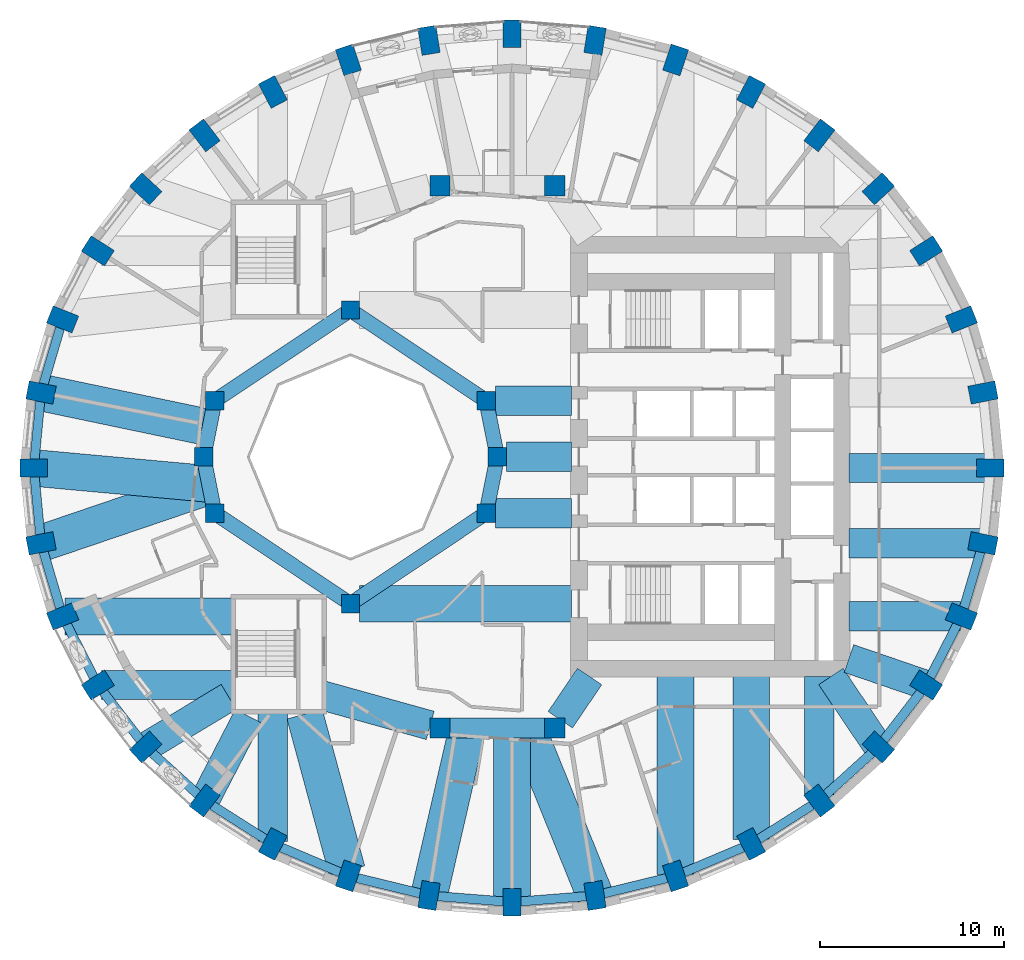
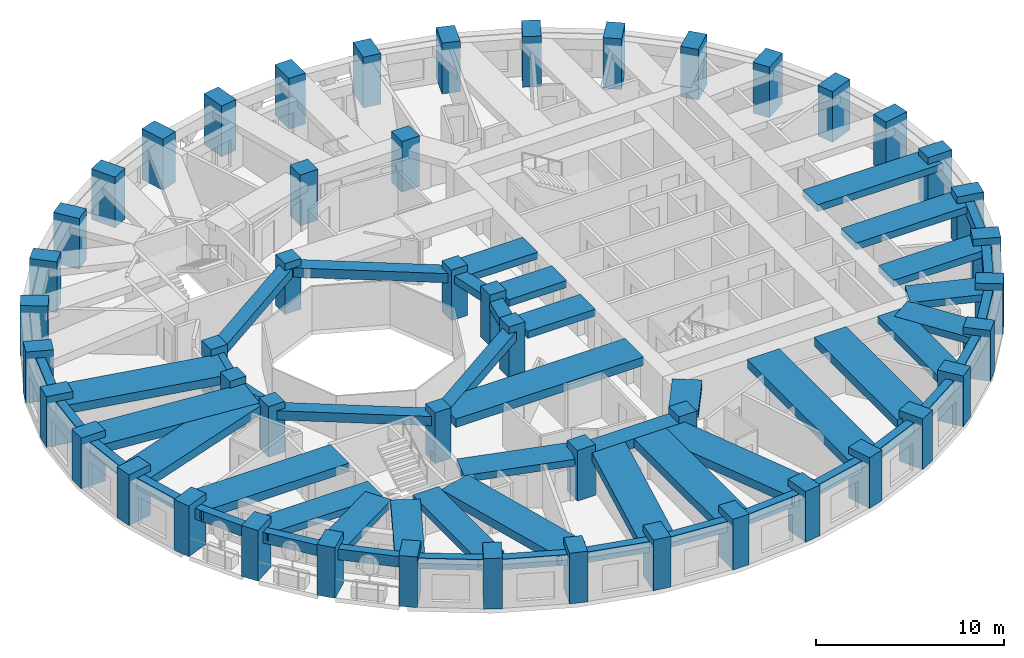
# One storey, part 1 of 12: 54 beams, 48 columns.
"""IFC4 building model written with IfcOpenShell, lengths in metres."""

from ifc_helpers import new_model, si_unit, direction, frame, origin, origin_2d, place, context, subcontext, project, spatial, rectangle, extrude, material, material_profile, profile_set, type_object, element, save


model = new_model("IFC4")

# Units and contexts
model_context = context("Model", 3, precision=1e-05, world=origin(), true_north=direction((0.0, 1.0)))
body_context = subcontext(model_context, "Body", "Model", "MODEL_VIEW")
ifc_project = project(units=[si_unit("LENGTHUNIT", "METRE"), si_unit("AREAUNIT", "SQUARE_METRE"), si_unit("VOLUMEUNIT", "CUBIC_METRE"), si_unit("PLANEANGLEUNIT", "RADIAN"), si_unit("MASSUNIT", "GRAM", prefix="KILO")], contexts=[model_context])

# Site, building, storey
site_placement = place(None, origin())
site = spatial("IfcSite", under=ifc_project, at=site_placement, CompositionType="ELEMENT")
building_placement = place(site_placement, origin())
building = spatial("IfcBuilding", under=site, at=building_placement, Name="Taillehof Tower", CompositionType="ELEMENT")
storey_placement = place(building_placement, frame((0.0, 0.0, 131.800048828125)))
storey = spatial("IfcBuildingStorey", under=building, at=storey_placement, Name="L37", CompositionType="ELEMENT", Elevation=131.800048828125)

# Columns
ifc_material_1 = material(Name="Concrete C50/60", Category="concrete")
ifc_material_profile_1 = material_profile(ifc_material_1, rectangle(XDim=1.0, YDim=1.0, at=origin_2d()), Name="RC 1000x1000")
ifc_profile_set_1 = profile_set([ifc_material_profile_1], Name="Concrete C50/60")
column_type_1 = type_object("IfcColumnType", Name="Atrium ring column C50/60 1000x1000", PredefinedType="COLUMN", material=ifc_profile_set_1)
for number, where, z_axis, x_axis, name in (
    (1, (0.0, 0.0, 0.0), (0.0, 0.0, 1.0), (1.0, 0.0, 0.0), "Column AC01"),
    (2, (-0.60888671875, 3.0615234375, 0.0), (0.0, 0.0, 1.0), (1.0, 0.0, 0.0), "Column AC02"),
    (3, (-8.0, 8.0, 0.0), (0.0, 0.0, 1.0), (1.0, 0.0, 0.0), "Column AC05"),
    (4, (-15.39111328125, 3.0615234375, 0.0), (0.0, 0.0, 1.0), (1.0, 0.0, 0.0), "Column AC08"),
    (5, (-16.0, 0.0, 0.0), (0.0, 0.0, 1.0), (1.0, 0.0, 0.0), "Column AC09"),
    (6, (-15.39111328125, -3.0615234375, 0.0), (0.0, 0.0, 1.0), (1.0, 0.0, 0.0), "Column AC10"),
    (7, (-8.0, -8.0, 0.0), (0.0, 0.0, 1.0), (1.0, 0.0, 0.0), "Column AC13"),
    (8, (-0.60888671875, -3.0615234375, 0.0), (0.0, 0.0, 1.0), (1.0, 0.0, 0.0), "Column AC16"),
):
    element("IfcColumn", number, at=place(storey_placement, frame(where, z_axis=z_axis, x_axis=x_axis)), inside=storey, type_object=column_type_1, Name=name, PredefinedType="COLUMN", context=body_context, shape_type="SweptSolid", body=[
        extrude(rectangle(XDim=1.0, YDim=1.0, at=origin_2d()), origin(), (0.0, 0.0, 1.0), 3.300048828125),
    ])
ifc_material_2 = material(Name="Concrete C50/60", Category="concrete")
ifc_material_profile_2 = material_profile(ifc_material_2, rectangle(XDim=1.10009765625, YDim=1.10009765625, at=origin_2d()), Name="RC 1100x1100")
ifc_profile_set_2 = profile_set([ifc_material_profile_2], Name="Concrete C50/60")
column_type_2 = type_object("IfcColumnType", Name="Mid-ring column C50/60 1100x1100", PredefinedType="COLUMN", material=ifc_profile_set_2)
for number, where, z_axis, x_axis, name in (
    (9, (3.125732421875, 14.772216796875, 0.0), (0.0, 0.0, 1.0), (1.0, 0.0, 0.0), "Column MC05"),
    (10, (-3.125732421875, 14.772216796875, 0.0), (0.0, 0.0, 1.0), (1.0, 0.0, 0.0), "Column MC06"),
    (11, (-3.125732421875, -14.772216796875, 0.0), (0.0, 0.0, 1.0), (1.0, 0.0, 0.0), "Column MC14"),
    (12, (3.125732421875, -14.772216796875, 0.0), (0.0, 0.0, 1.0), (1.0, 0.0, 0.0), "Column MC15"),
):
    element("IfcColumn", number, at=place(storey_placement, frame(where, z_axis=z_axis, x_axis=x_axis)), inside=storey, type_object=column_type_2, Name=name, PredefinedType="COLUMN", context=body_context, shape_type="SweptSolid", body=[
        extrude(rectangle(XDim=1.10009765625, YDim=1.10009765625, at=origin_2d()), origin(), (0.0, 0.0, 1.0), 3.300048828125),
    ])
ifc_material_3 = material(Name="Concrete C70/85", Category="concrete")
ifc_material_profile_3 = material_profile(ifc_material_3, rectangle(XDim=1.5, YDim=1.0, at=origin_2d()), Name="RC 1500x1000")
ifc_profile_set_3 = profile_set([ifc_material_profile_3], Name="Concrete C70/85")
column_type_3 = type_object("IfcColumnType", Name="Ring column C70/85 1500x1000", PredefinedType="COLUMN", material=ifc_profile_set_3)
for number, where, z_axis, x_axis, name in (
    (13, (26.85009765625, -0.60009765625, 0.0), (0.0, 0.0, 1.0), (1.0, 0.0, 0.0), "Ring column RC01"),
    (14, (26.454345703125, 3.5068359375, 0.0), (0.0, 0.0, 1.0), (0.981757466121, 0.190137523166, 0.0), "Ring column RC02"),
    (15, (25.279052734375, 7.48876953125, 0.0), (0.0, 0.0, 1.0), (0.928550110352, 0.371207075048, 0.0), "Ring column RC03"),
    (16, (23.35986328125, 11.22509765625, 0.0), (0.0, 0.0, 1.0), (0.844511454562, 0.535537489923, 0.0), "Ring column RC04"),
    (17, (20.75537109375, 14.60205078125, 0.0), (0.0, 0.0, 1.0), (0.735332034083, 0.677707016085, 0.0), "Ring column RC05"),
    (18, (17.544677734375, 17.516845703125, 0.0), (0.0, 0.0, 1.0), (0.607074228939, 0.794645128694, 0.0), "Ring column RC06"),
    (19, (13.824951171875, 19.881591796875, 0.0), (0.0, 0.0, 1.0), (0.465283017627, 0.885161970211, 0.0), "Ring column RC07"),
    (20, (9.709716796875, 21.623779296875, 0.0), (0.0, 0.0, 1.0), (0.314554972703, 0.949239258116, 0.0), "Ring column RC08"),
    (21, (5.323486328125, 22.690673828125, 0.0), (0.0, 0.0, 1.0), (0.158507038215, 0.987357847407, 0.0), "Ring column RC09"),
    (22, (0.800048828125, 23.050048828125, 0.0), (0.0, 0.0, 1.0), (0.0, 1.0, 0.0), "Ring column RC10"),
    (23, (-3.7236328125, 22.690673828125, 0.0), (0.0, 0.0, 1.0), (-0.158507038215, 0.987357847407, 0.0), "Ring column RC11"),
    (24, (-8.109619140625, 21.623779296875, 0.0), (0.0, 0.0, 1.0), (-0.314554972703, 0.949239258116, 0.0), "Ring column RC12"),
    (25, (-12.22509765625, 19.881591796875, 0.0), (0.0, 0.0, 1.0), (-0.465283017627, 0.885161970211, 0.0), "Ring column RC13"),
    (26, (-15.944580078125, 17.516845703125, 0.0), (0.0, 0.0, 1.0), (-0.607074228939, 0.794645128694, 0.0), "Ring column RC14"),
    (27, (-19.155517578125, 14.60205078125, 0.0), (0.0, 0.0, 1.0), (-0.735332034083, 0.677707016085, 0.0), "Ring column RC15"),
    (28, (-21.760009765625, 11.22509765625, 0.0), (0.0, 0.0, 1.0), (-0.844511454562, 0.535537489923, 0.0), "Ring column RC16"),
    (29, (-23.678955078125, 7.48876953125, 0.0), (0.0, 0.0, 1.0), (-0.928550110352, 0.371207075048, 0.0), "Ring column RC17"),
    (30, (-24.854248046875, 3.5068359375, 0.0), (0.0, 0.0, 1.0), (-0.981757466121, 0.190137523166, 0.0), "Ring column RC18"),
    (31, (-25.25, -0.60009765625, 0.0), (0.0, 0.0, 1.0), (-1.0, 0.0, 0.0), "Ring column RC19"),
    (32, (-24.854248046875, -4.706787109375, 0.0), (0.0, 0.0, 1.0), (-0.981757466121, -0.190137523166, 0.0), "Ring column RC20"),
    (33, (-23.678955078125, -8.688720703125, 0.0), (0.0, 0.0, 1.0), (-0.928550110352, -0.371207075048, 0.0), "Ring column RC21"),
    (34, (-21.760009765625, -12.425048828125, 0.0), (0.0, 0.0, 1.0), (-0.844511454562, -0.535537489923, 0.0), "Ring column RC22"),
    (35, (-19.155517578125, -15.802001953125, 0.0), (0.0, 0.0, 1.0), (-0.735332034083, -0.677707016085, 0.0), "Ring column RC23"),
    (36, (-15.944580078125, -18.717041015625, 0.0), (0.0, 0.0, 1.0), (-0.607074228939, -0.794645128694, 0.0), "Ring column RC24"),
    (37, (-12.22509765625, -21.08154296875, 0.0), (0.0, 0.0, 1.0), (-0.465283017627, -0.885161970211, 0.0), "Ring column RC25"),
    (38, (-8.109619140625, -22.82373046875, 0.0), (0.0, 0.0, 1.0), (-0.314554972703, -0.949239258116, 0.0), "Ring column RC26"),
    (39, (-3.7236328125, -23.890625, 0.0), (0.0, 0.0, 1.0), (-0.158507038215, -0.987357847407, 0.0), "Ring column RC27"),
    (40, (0.800048828125, -24.25, 0.0), (0.0, 0.0, 1.0), (0.0, -1.0, 0.0), "Ring column RC28"),
    (41, (5.323486328125, -23.890625, 0.0), (0.0, 0.0, 1.0), (0.158507038215, -0.987357847407, 0.0), "Ring column RC29"),
    (42, (9.709716796875, -22.82373046875, 0.0), (0.0, 0.0, 1.0), (0.314554972703, -0.949239258116, 0.0), "Ring column RC30"),
    (43, (13.824951171875, -21.08154296875, 0.0), (0.0, 0.0, 1.0), (0.465283017627, -0.885161970211, 0.0), "Ring column RC31"),
    (44, (17.544677734375, -18.717041015625, 0.0), (0.0, 0.0, 1.0), (0.607074228939, -0.794645128694, 0.0), "Ring column RC32"),
    (45, (20.75537109375, -15.802001953125, 0.0), (0.0, 0.0, 1.0), (0.735332034083, -0.677707016085, 0.0), "Ring column RC33"),
    (46, (23.35986328125, -12.425048828125, 0.0), (0.0, 0.0, 1.0), (0.844511454562, -0.535537489923, 0.0), "Ring column RC34"),
    (47, (25.279052734375, -8.688720703125, 0.0), (0.0, 0.0, 1.0), (0.928550110352, -0.371207075048, 0.0), "Ring column RC35"),
    (48, (26.454345703125, -4.706787109375, 0.0), (0.0, 0.0, 1.0), (0.981757466121, -0.190137523166, 0.0), "Ring column RC36"),
):
    element("IfcColumn", number, at=place(storey_placement, frame(where, z_axis=z_axis, x_axis=x_axis)), inside=storey, type_object=column_type_3, Name=name, PredefinedType="COLUMN", context=body_context, shape_type="SweptSolid", body=[
        extrude(rectangle(XDim=1.5, YDim=1.0, at=origin_2d()), origin(), (0.0, 0.0, 1.0), 3.300048828125),
    ])

# Beams
ifc_material_4 = material(Name="Concrete C50/60", Category="concrete")
ifc_material_profile_4 = material_profile(ifc_material_4, rectangle(XDim=0.800048828125, YDim=0.5, at=origin_2d()), Name="RC 800x500")
ifc_profile_set_4 = profile_set([ifc_material_profile_4], Name="Concrete C50/60")
beam_type_1 = type_object("IfcBeamType", Name="Atrium ring beam C50/60 800x500", PredefinedType="BEAM", material=ifc_profile_set_4)
for number, where, z_axis, x_axis, name in (
    (49, (0.0, 0.0, 2.599853515625), (-0.195063155143, 0.980790683839, 0.0), (-0.980790683839, -0.195063155143, 0.0), "Atrium ring beam AB01"),
    (50, (-15.39111328125, 3.0615234375, 2.599853515625), (-0.195063155143, -0.980790683839, 0.0), (0.980790683839, -0.195063155143, 0.0), "Atrium ring beam AB04"),
    (51, (-16.0, 0.0, 2.599853515625), (0.195063155143, -0.980790683839, 0.0), (0.980790683839, 0.195063155143, 0.0), "Atrium ring beam AB05"),
    (52, (-0.60888671875, -3.0615234375, 2.599853515625), (0.195063155143, 0.980790683839, 0.0), (-0.980790683839, 0.195063155143, 0.0), "Atrium ring beam AB08"),
):
    element("IfcBeam", number, at=place(storey_placement, frame(where, z_axis=z_axis, x_axis=x_axis)), inside=storey, type_object=beam_type_1, Name=name, PredefinedType="BEAM", context=body_context, shape_type="SweptSolid", body=[
        extrude(rectangle(XDim=0.800048828125, YDim=0.5, at=origin_2d()), origin(), (0.0, 0.0, 1.0), 3.12158203125),
    ])
ifc_material_5 = material(Name="Concrete C50/60", Category="concrete")
ifc_material_profile_5 = material_profile(ifc_material_5, rectangle(XDim=0.800048828125, YDim=0.60009765625, at=origin_2d()), Name="RC 800x600")
ifc_profile_set_5 = profile_set([ifc_material_profile_5], Name="Concrete C50/60")
beam_type_2 = type_object("IfcBeamType", Name="Atrium ring beam C50/60 800x600", PredefinedType="BEAM", material=ifc_profile_set_5)
for number, where, z_axis, x_axis, name in (
    (53, (-0.60888671875, 3.0615234375, 2.550048828125), (-0.831475195687, 0.555561876804, 0.0), (-0.555561876804, -0.831475195687, 0.0), "Atrium ring beam AB02"),
    (54, (-8.0, 8.0, 2.550048828125), (-0.831475195687, -0.555561876804, 0.0), (0.555561876804, -0.831475195687, 0.0), "Atrium ring beam AB03"),
    (55, (-15.39111328125, -3.0615234375, 2.550048828125), (0.831475195687, -0.555561876804, 0.0), (0.555561876804, 0.831475195687, 0.0), "Atrium ring beam AB06"),
    (56, (-8.0, -8.0, 2.550048828125), (0.831475195687, 0.555561876804, 0.0), (-0.555561876804, 0.831475195687, 0.0), "Atrium ring beam AB07"),
):
    element("IfcBeam", number, at=place(storey_placement, frame(where, z_axis=z_axis, x_axis=x_axis)), inside=storey, type_object=beam_type_2, Name=name, PredefinedType="BEAM", context=body_context, shape_type="SweptSolid", body=[
        extrude(rectangle(XDim=0.800048828125, YDim=0.60009765625, at=origin_2d()), origin(), (0.0, 0.0, 1.0), 8.88916015625),
    ])
ifc_material_6 = material(Name="Concrete C50/60", Category="concrete")
ifc_material_profile_6 = material_profile(ifc_material_6, rectangle(XDim=1.10009765625, YDim=0.60009765625, at=origin_2d()), Name="RC 1100x600")
ifc_profile_set_6 = profile_set([ifc_material_profile_6], Name="Concrete C50/60")
beam_type_3 = type_object("IfcBeamType", Name="Mid-ring beam C50/60 1100x600", PredefinedType="BEAM", material=ifc_profile_set_6)
beam_1_placement = place(storey_placement, frame((-3.125732421875, -14.772216796875, 2.550048828125), z_axis=(1.0, 0.0, 0.0), x_axis=(0.0, 1.0, 0.0)))
element("IfcBeam", 57, at=beam_1_placement, inside=storey, type_object=beam_type_3, Name="Mid-ring beam MB02", PredefinedType="BEAM", context=body_context, shape_type="SweptSolid", body=[
    extrude(rectangle(XDim=1.10009765625, YDim=0.60009765625, at=origin_2d()), origin(), (0.0, 0.0, 1.0), 6.25146484375),
])
ifc_material_7 = material(Name="Concrete C50/60", Category="concrete")
ifc_material_profile_7 = material_profile(ifc_material_7, rectangle(XDim=1.60009765625, YDim=0.449951171875, at=origin_2d()), Name="RC 1600x450")
ifc_profile_set_7 = profile_set([ifc_material_profile_7], Name="Concrete C50/60")
beam_type_4 = type_object("IfcBeamType", Name="Radial band beam C50/60 1600x450", PredefinedType="BEAM", material=ifc_profile_set_7)
beam_2_placement = place(storey_placement, frame((26.85009765625, -0.60009765625, 2.625), z_axis=(-1.0, 0.0, 0.0), x_axis=(0.0, -1.0, 0.0)))
element("IfcBeam", 58, at=beam_2_placement, inside=storey, type_object=beam_type_4, Name="Radial band beam RB01", PredefinedType="BEAM", context=body_context, shape_type="SweptSolid", body=[
    extrude(rectangle(XDim=1.60009765625, YDim=0.449951171875, at=origin_2d()), origin(), (0.0, 0.0, 1.0), 7.7001953125),
])
beam_3_placement = place(storey_placement, frame((-21.54736328125, -12.425048828125, 2.625), z_axis=(1.0, 0.0, 0.0), x_axis=(0.0, 1.0, 0.0)))
element("IfcBeam", 59, at=beam_3_placement, inside=storey, type_object=beam_type_4, Name="Radial band beam RB22", PredefinedType="BEAM", context=body_context, shape_type="SweptSolid", body=[
    extrude(rectangle(XDim=1.60009765625, YDim=0.449951171875, at=origin_2d()), origin(), (0.0, 0.0, 1.0), 7.097412109375),
])
beam_4_placement = place(storey_placement, frame((-19.155517578125, -15.802001953125, 2.625), z_axis=(0.856794973818, 0.515657224171, 0.0), x_axis=(-0.515657224171, 0.856794973818, 0.0)))
element("IfcBeam", 60, at=beam_4_placement, inside=storey, type_object=beam_type_4, Name="Radial band beam RB23", PredefinedType="BEAM", context=body_context, shape_type="SweptSolid", body=[
    extrude(rectangle(XDim=1.60009765625, YDim=0.449951171875, at=origin_2d()), origin(), (0.0, 0.0, 1.0), 5.28369140625),
])
beam_5_placement = place(storey_placement, frame((-15.944580078125, -18.717041015625, 2.625), z_axis=(0.460119038647, 0.8878572353, 0.0), x_axis=(-0.8878572353, 0.460119038647, 0.0)))
element("IfcBeam", 61, at=beam_5_placement, inside=storey, type_object=beam_type_4, Name="Radial band beam RB24", PredefinedType="BEAM", context=body_context, shape_type="SweptSolid", body=[
    extrude(rectangle(XDim=1.60009765625, YDim=0.449951171875, at=origin_2d()), origin(), (0.0, 0.0, 1.0), 5.1796875),
])
beam_6_placement = place(storey_placement, frame((-12.22509765625, -20.9443359375, 2.625), z_axis=(0.0, 1.0, 0.0), x_axis=(-1.0, 0.0, 0.0)))
element("IfcBeam", 62, at=beam_6_placement, inside=storey, type_object=beam_type_4, Name="Radial band beam RB25", PredefinedType="BEAM", context=body_context, shape_type="SweptSolid", body=[
    extrude(rectangle(XDim=1.60009765625, YDim=0.449951171875, at=origin_2d()), origin(), (0.0, 0.0, 1.0), 6.994384765625),
])
beam_7_placement = place(storey_placement, frame((17.544677734375, -18.421875, 2.625), z_axis=(0.0, 1.0, 0.0), x_axis=(-1.0, 0.0, 0.0)))
element("IfcBeam", 63, at=beam_7_placement, inside=storey, type_object=beam_type_4, Name="Radial band beam RB32", PredefinedType="BEAM", context=body_context, shape_type="SweptSolid", body=[
    extrude(rectangle(XDim=1.60009765625, YDim=0.449951171875, at=origin_2d()), origin(), (0.0, 0.0, 1.0), 6.471923828125),
])
beam_8_placement = place(storey_placement, frame((20.75537109375, -15.802001953125, 2.625), z_axis=(-0.557822939952, 0.829959979555, 0.0), x_axis=(-0.829959979555, -0.557822939952, 0.0)))
element("IfcBeam", 64, at=beam_8_placement, inside=storey, type_object=beam_type_4, Name="Radial band beam RB33", PredefinedType="BEAM", context=body_context, shape_type="SweptSolid", body=[
    extrude(rectangle(XDim=1.60009765625, YDim=0.449951171875, at=origin_2d()), origin(), (0.0, 0.0, 1.0), 4.630859375),
])
beam_9_placement = place(storey_placement, frame((23.35986328125, -12.425048828125, 2.625), z_axis=(-0.946037817118, 0.324056242932, 0.0), x_axis=(-0.324056242932, -0.946037817118, 0.0)))
element("IfcBeam", 65, at=beam_9_placement, inside=storey, type_object=beam_type_4, Name="Radial band beam RB34", PredefinedType="BEAM", context=body_context, shape_type="SweptSolid", body=[
    extrude(rectangle(XDim=1.60009765625, YDim=0.449951171875, at=origin_2d()), origin(), (0.0, 0.0, 1.0), 4.447265625),
])
beam_10_placement = place(storey_placement, frame((25.2275390625, -8.688720703125, 2.625), z_axis=(-1.0, 0.0, 0.0), x_axis=(0.0, -1.0, 0.0)))
element("IfcBeam", 66, at=beam_10_placement, inside=storey, type_object=beam_type_4, Name="Radial band beam RB35", PredefinedType="BEAM", context=body_context, shape_type="SweptSolid", body=[
    extrude(rectangle(XDim=1.60009765625, YDim=0.449951171875, at=origin_2d()), origin(), (0.0, 0.0, 1.0), 6.07763671875),
])
beam_11_placement = place(storey_placement, frame((26.454345703125, -4.706787109375, 2.625), z_axis=(-1.0, 0.0, 0.0), x_axis=(0.0, -1.0, 0.0)))
element("IfcBeam", 67, at=beam_11_placement, inside=storey, type_object=beam_type_4, Name="Radial band beam RB36", PredefinedType="BEAM", context=body_context, shape_type="SweptSolid", body=[
    extrude(rectangle(XDim=1.60009765625, YDim=0.449951171875, at=origin_2d()), origin(), (0.0, 0.0, 1.0), 7.304443359375),
])
beam_12_placement = place(storey_placement, frame((0.5, 0.0, 2.625), z_axis=(1.0, 0.0, 0.0), x_axis=(0.0, 1.0, 0.0)))
element("IfcBeam", 68, at=beam_12_placement, inside=storey, type_object=beam_type_4, Name="Inner band beam IB101", PredefinedType="BEAM", context=body_context, shape_type="SweptSolid", body=[
    extrude(rectangle(XDim=1.60009765625, YDim=0.449951171875, at=origin_2d()), origin(), (0.0, 0.0, 1.0), 3.550048828125),
])
for number, where, z_axis, x_axis, name in (
    (69, (-0.10888671875, 3.0615234375, 2.625), (1.0, 0.0, 0.0), (0.0, 1.0, 0.0), "Inner band beam IB102"),
    (70, (-0.10888671875, -3.0615234375, 2.625), (1.0, 0.0, 0.0), (0.0, 1.0, 0.0), "Inner band beam IB116"),
):
    element("IfcBeam", number, at=place(storey_placement, frame(where, z_axis=z_axis, x_axis=x_axis)), inside=storey, type_object=beam_type_4, Name=name, PredefinedType="BEAM", context=body_context, shape_type="SweptSolid", body=[
        extrude(rectangle(XDim=1.60009765625, YDim=0.449951171875, at=origin_2d()), origin(), (0.0, 0.0, 1.0), 4.158935546875),
    ])
beam_13_placement = place(storey_placement, frame((-3.655517578125, -14.624755859375, 2.625), z_axis=(-0.963459369536, 0.267854518821, 0.0), x_axis=(-0.267854518821, -0.963459369536, 0.0)))
element("IfcBeam", 71, at=beam_13_placement, inside=storey, type_object=beam_type_4, Name="Inner band beam IB214", PredefinedType="BEAM", context=body_context, shape_type="SweptSolid", body=[
    extrude(rectangle(XDim=1.60009765625, YDim=0.449951171875, at=origin_2d()), origin(), (0.0, 0.0, 1.0), 6.096923828125),
])
beam_14_placement = place(storey_placement, frame((3.433837890625, -14.31640625, 2.625), z_axis=(0.560112043398, 0.828416862962, 0.0), x_axis=(-0.828416862962, 0.560112043398, 0.0)))
element("IfcBeam", 72, at=beam_14_placement, inside=storey, type_object=beam_type_4, Name="Inner band beam IB215", PredefinedType="BEAM", context=body_context, shape_type="SweptSolid", body=[
    extrude(rectangle(XDim=1.60009765625, YDim=0.449951171875, at=origin_2d()), origin(), (0.0, 0.0, 1.0), 2.84619140625),
])
ifc_material_8 = material(Name="Concrete C50/60", Category="concrete")
ifc_material_profile_8 = material_profile(ifc_material_8, rectangle(XDim=2.0, YDim=0.550048828125, at=origin_2d()), Name="RC 2000x550")
ifc_profile_set_8 = profile_set([ifc_material_profile_8], Name="Concrete C50/60")
beam_type_5 = type_object("IfcBeamType", Name="Radial band beam C50/60 2000x550", PredefinedType="BEAM", material=ifc_profile_set_8)
beam_15_placement = place(storey_placement, frame((-24.854248046875, 3.5068359375, 2.574951171875), z_axis=(0.978853404319, -0.204562980164, 0.0), x_axis=(0.204562980164, 0.978853404319, 0.0)))
element("IfcBeam", 73, at=beam_15_placement, inside=storey, type_object=beam_type_5, Name="Radial band beam RB18", PredefinedType="BEAM", context=body_context, shape_type="SweptSolid", body=[
    extrude(rectangle(XDim=2.0, YDim=0.550048828125, at=origin_2d()), origin(), (0.0, 0.0, 1.0), 9.36865234375),
])
beam_16_placement = place(storey_placement, frame((-25.25, -0.60009765625, 2.574951171875), z_axis=(0.995859515154, -0.090905588816, 0.0), x_axis=(0.090905588816, 0.995859515154, 0.0)))
element("IfcBeam", 74, at=beam_16_placement, inside=storey, type_object=beam_type_5, Name="Radial band beam RB19", PredefinedType="BEAM", context=body_context, shape_type="SweptSolid", body=[
    extrude(rectangle(XDim=2.0, YDim=0.550048828125, at=origin_2d()), origin(), (0.0, 0.0, 1.0), 9.58251953125),
])
beam_17_placement = place(storey_placement, frame((-24.854248046875, -4.706787109375, 2.574951171875), z_axis=(0.946822052625, 0.321757673822, 0.0), x_axis=(-0.321757673822, 0.946822052625, 0.0)))
element("IfcBeam", 75, at=beam_17_placement, inside=storey, type_object=beam_type_5, Name="Radial band beam RB20", PredefinedType="BEAM", context=body_context, shape_type="SweptSolid", body=[
    extrude(rectangle(XDim=2.0, YDim=0.550048828125, at=origin_2d()), origin(), (0.0, 0.0, 1.0), 9.685791015625),
])
beam_18_placement = place(storey_placement, frame((-23.54736328125, -8.688720703125, 2.574951171875), z_axis=(1.0, 0.0, 0.0), x_axis=(0.0, 1.0, 0.0)))
element("IfcBeam", 76, at=beam_18_placement, inside=storey, type_object=beam_type_5, Name="Radial band beam RB21", PredefinedType="BEAM", context=body_context, shape_type="SweptSolid", body=[
    extrude(rectangle(XDim=2.0, YDim=0.550048828125, at=origin_2d()), origin(), (0.0, 0.0, 1.0), 9.097412109375),
])
beam_19_placement = place(storey_placement, frame((-8.186767578125, -22.539306640625, 2.574951171875), z_axis=(-0.261461600872, 0.965213878511, 0.0), x_axis=(-0.965213878511, -0.261461600872, 0.0)))
element("IfcBeam", 77, at=beam_19_placement, inside=storey, type_object=beam_type_5, Name="Radial band beam RB26", PredefinedType="BEAM", context=body_context, shape_type="SweptSolid", body=[
    extrude(rectangle(XDim=2.0, YDim=0.550048828125, at=origin_2d()), origin(), (0.0, 0.0, 1.0), 8.835205078125),
])
beam_20_placement = place(storey_placement, frame((-3.7236328125, -23.890625, 2.574951171875), z_axis=(0.224215346781, 0.974539623755, 0.0), x_axis=(-0.974539623755, 0.224215346781, 0.0)))
element("IfcBeam", 78, at=beam_20_placement, inside=storey, type_object=beam_type_5, Name="Radial band beam RB27", PredefinedType="BEAM", context=body_context, shape_type="SweptSolid", body=[
    extrude(rectangle(XDim=2.0, YDim=0.550048828125, at=origin_2d()), origin(), (0.0, 0.0, 1.0), 9.356689453125),
])
beam_21_placement = place(storey_placement, frame((0.800048828125, -24.25, 2.574951171875), z_axis=(0.0, 1.0, 0.0), x_axis=(-1.0, 0.0, 0.0)))
element("IfcBeam", 79, at=beam_21_placement, inside=storey, type_object=beam_type_5, Name="Radial band beam RB28", PredefinedType="BEAM", context=body_context, shape_type="SweptSolid", body=[
    extrude(rectangle(XDim=2.0, YDim=0.550048828125, at=origin_2d()), origin(), (0.0, 0.0, 1.0), 9.477783203125),
])
beam_22_placement = place(storey_placement, frame((5.323486328125, -23.890625, 2.574951171875), z_axis=(-0.375801287916, 0.926700270854, 0.0), x_axis=(-0.926700270854, -0.375801287916, 0.0)))
element("IfcBeam", 80, at=beam_22_placement, inside=storey, type_object=beam_type_5, Name="Radial band beam RB29", PredefinedType="BEAM", context=body_context, shape_type="SweptSolid", body=[
    extrude(rectangle(XDim=2.0, YDim=0.550048828125, at=origin_2d()), origin(), (0.0, 0.0, 1.0), 9.839599609375),
])
beam_23_placement = place(storey_placement, frame((9.709716796875, -22.756591796875, 2.574951171875), z_axis=(0.0, 1.0, 0.0), x_axis=(-1.0, 0.0, 0.0)))
element("IfcBeam", 81, at=beam_23_placement, inside=storey, type_object=beam_type_5, Name="Radial band beam RB30", PredefinedType="BEAM", context=body_context, shape_type="SweptSolid", body=[
    extrude(rectangle(XDim=2.0, YDim=0.550048828125, at=origin_2d()), origin(), (0.0, 0.0, 1.0), 10.806640625),
])
beam_24_placement = place(storey_placement, frame((13.824951171875, -20.839599609375, 2.574951171875), z_axis=(0.0, 1.0, 0.0), x_axis=(-1.0, 0.0, 0.0)))
element("IfcBeam", 82, at=beam_24_placement, inside=storey, type_object=beam_type_5, Name="Radial band beam RB31", PredefinedType="BEAM", context=body_context, shape_type="SweptSolid", body=[
    extrude(rectangle(XDim=2.0, YDim=0.550048828125, at=origin_2d()), origin(), (0.0, 0.0, 1.0), 8.8896484375),
])
beam_25_placement = place(storey_placement, frame((-7.5, -8.0, 2.574951171875), z_axis=(1.0, 0.0, 0.0), x_axis=(0.0, 1.0, 0.0)))
element("IfcBeam", 83, at=beam_25_placement, inside=storey, type_object=beam_type_5, Name="Inner band beam IB113", PredefinedType="BEAM", context=body_context, shape_type="SweptSolid", body=[
    extrude(rectangle(XDim=2.0, YDim=0.550048828125, at=origin_2d()), origin(), (0.0, 0.0, 1.0), 11.550048828125),
])
ifc_material_9 = material(Name="Concrete C50/60", Category="concrete")
ifc_material_profile_9 = material_profile(ifc_material_9, rectangle(XDim=0.5, YDim=0.699951171875, at=origin_2d()), Name="RC 500x700")
ifc_profile_set_9 = profile_set([ifc_material_profile_9], Name="Concrete C50/60")
beam_type_6 = type_object("IfcBeamType", Name="Spandrel beam C50/60 500x700", PredefinedType="SPANDREL", material=ifc_profile_set_9)
beam_26_placement = place(storey_placement, frame((-23.678955078125, 7.48876953125, 2.5), z_axis=(-0.28308309012, -0.95909538842, 0.0), x_axis=(0.95909538842, -0.28308309012, 0.0)))
element("IfcBeam", 84, at=beam_26_placement, inside=storey, type_object=beam_type_6, Name="Spandrel beam SB17", PredefinedType="SPANDREL", context=body_context, shape_type="SweptSolid", body=[
    extrude(rectangle(XDim=0.5, YDim=0.699951171875, at=origin_2d()), origin(), (0.0, 0.0, 1.0), 4.15185546875),
])
beam_27_placement = place(storey_placement, frame((-24.854248046875, 3.5068359375, 2.5), z_axis=(-0.095917608943, -0.995389276763, 0.0), x_axis=(0.995389276763, -0.095917608943, 0.0)))
element("IfcBeam", 85, at=beam_27_placement, inside=storey, type_object=beam_type_6, Name="Spandrel beam SB18", PredefinedType="SPANDREL", context=body_context, shape_type="SweptSolid", body=[
    extrude(rectangle(XDim=0.5, YDim=0.699951171875, at=origin_2d()), origin(), (0.0, 0.0, 1.0), 4.1259765625),
])
beam_28_placement = place(storey_placement, frame((-25.25, -0.60009765625, 2.5), z_axis=(0.09592325873, -0.995388732323, 0.0), x_axis=(0.995388732323, 0.09592325873, 0.0)))
element("IfcBeam", 86, at=beam_28_placement, inside=storey, type_object=beam_type_6, Name="Spandrel beam SB19", PredefinedType="SPANDREL", context=body_context, shape_type="SweptSolid", body=[
    extrude(rectangle(XDim=0.5, YDim=0.699951171875, at=origin_2d()), origin(), (0.0, 0.0, 1.0), 4.125732421875),
])
beam_29_placement = place(storey_placement, frame((-24.854248046875, -4.706787109375, 2.5), z_axis=(0.28308309012, -0.95909538842, 0.0), x_axis=(0.95909538842, 0.28308309012, 0.0)))
element("IfcBeam", 87, at=beam_29_placement, inside=storey, type_object=beam_type_6, Name="Spandrel beam SB20", PredefinedType="SPANDREL", context=body_context, shape_type="SweptSolid", body=[
    extrude(rectangle(XDim=0.5, YDim=0.699951171875, at=origin_2d()), origin(), (0.0, 0.0, 1.0), 4.15185546875),
])
beam_30_placement = place(storey_placement, frame((-23.678955078125, -8.688720703125, 2.5), z_axis=(0.456859381733, -0.889538928503, 0.0), x_axis=(0.889538928503, 0.456859381733, 0.0)))
element("IfcBeam", 88, at=beam_30_placement, inside=storey, type_object=beam_type_6, Name="Spandrel beam SB21", PredefinedType="SPANDREL", context=body_context, shape_type="SweptSolid", body=[
    extrude(rectangle(XDim=0.5, YDim=0.699951171875, at=origin_2d()), origin(), (0.0, 0.0, 1.0), 4.2001953125),
])
beam_31_placement = place(storey_placement, frame((-21.760009765625, -12.425048828125, 2.5), z_axis=(0.61071731561, -0.79184869793, 0.0), x_axis=(0.79184869793, 0.61071731561, 0.0)))
element("IfcBeam", 89, at=beam_31_placement, inside=storey, type_object=beam_type_6, Name="Spandrel beam SB22", PredefinedType="SPANDREL", context=body_context, shape_type="SweptSolid", body=[
    extrude(rectangle(XDim=0.5, YDim=0.699951171875, at=origin_2d()), origin(), (0.0, 0.0, 1.0), 4.2646484375),
])
beam_32_placement = place(storey_placement, frame((-19.155517578125, -15.802001953125, 2.5), z_axis=(0.740398416885, -0.672168270803, 0.0), x_axis=(0.672168270803, 0.740398416885, 0.0)))
element("IfcBeam", 90, at=beam_32_placement, inside=storey, type_object=beam_type_6, Name="Spandrel beam SB23", PredefinedType="SPANDREL", context=body_context, shape_type="SweptSolid", body=[
    extrude(rectangle(XDim=0.5, YDim=0.699951171875, at=origin_2d()), origin(), (0.0, 0.0, 1.0), 4.336669921875),
])
beam_33_placement = place(storey_placement, frame((-15.944580078125, -18.717041015625, 2.5), z_axis=(0.843912293293, -0.536481165773, 0.0), x_axis=(0.536481165773, 0.843912293293, 0.0)))
element("IfcBeam", 91, at=beam_33_placement, inside=storey, type_object=beam_type_6, Name="Spandrel beam SB24", PredefinedType="SPANDREL", context=body_context, shape_type="SweptSolid", body=[
    extrude(rectangle(XDim=0.5, YDim=0.699951171875, at=origin_2d()), origin(), (0.0, 0.0, 1.0), 4.407470703125),
])
beam_34_placement = place(storey_placement, frame((-12.22509765625, -21.08154296875, 2.5), z_axis=(0.920885046825, -0.389834234688, 0.0), x_axis=(0.389834234688, 0.920885046825, 0.0)))
element("IfcBeam", 92, at=beam_34_placement, inside=storey, type_object=beam_type_6, Name="Spandrel beam SB25", PredefinedType="SPANDREL", context=body_context, shape_type="SweptSolid", body=[
    extrude(rectangle(XDim=0.5, YDim=0.699951171875, at=origin_2d()), origin(), (0.0, 0.0, 1.0), 4.468994140625),
])
beam_35_placement = place(storey_placement, frame((-8.109619140625, -22.82373046875, 2.5), z_axis=(0.971665924588, -0.236358479847, 0.0), x_axis=(0.236358479847, 0.971665924588, 0.0)))
element("IfcBeam", 93, at=beam_35_placement, inside=storey, type_object=beam_type_6, Name="Spandrel beam SB26", PredefinedType="SPANDREL", context=body_context, shape_type="SweptSolid", body=[
    extrude(rectangle(XDim=0.5, YDim=0.699951171875, at=origin_2d()), origin(), (0.0, 0.0, 1.0), 4.513916015625),
])
beam_36_placement = place(storey_placement, frame((-3.7236328125, -23.890625, 2.5), z_axis=(0.996859260648, -0.079193525375, 0.0), x_axis=(0.079193525375, 0.996859260648, 0.0)))
element("IfcBeam", 94, at=beam_36_placement, inside=storey, type_object=beam_type_6, Name="Spandrel beam SB27", PredefinedType="SPANDREL", context=body_context, shape_type="SweptSolid", body=[
    extrude(rectangle(XDim=0.5, YDim=0.699951171875, at=origin_2d()), origin(), (0.0, 0.0, 1.0), 4.537841796875),
])
beam_37_placement = place(storey_placement, frame((0.800048828125, -24.25, 2.5), z_axis=(0.996858923208, 0.079197772828, 0.0), x_axis=(-0.079197772828, 0.996858923208, 0.0)))
element("IfcBeam", 95, at=beam_37_placement, inside=storey, type_object=beam_type_6, Name="Spandrel beam SB28", PredefinedType="SPANDREL", context=body_context, shape_type="SweptSolid", body=[
    extrude(rectangle(XDim=0.5, YDim=0.699951171875, at=origin_2d()), origin(), (0.0, 0.0, 1.0), 4.53759765625),
])
beam_38_placement = place(storey_placement, frame((5.323486328125, -23.890625, 2.5), z_axis=(0.971668945916, 0.23634605887, 0.0), x_axis=(-0.23634605887, 0.971668945916, 0.0)))
element("IfcBeam", 96, at=beam_38_placement, inside=storey, type_object=beam_type_6, Name="Spandrel beam SB29", PredefinedType="SPANDREL", context=body_context, shape_type="SweptSolid", body=[
    extrude(rectangle(XDim=0.5, YDim=0.699951171875, at=origin_2d()), origin(), (0.0, 0.0, 1.0), 4.51416015625),
])
beam_39_placement = place(storey_placement, frame((9.709716796875, -22.82373046875, 2.5), z_axis=(0.920876744153, 0.389853847074, 0.0), x_axis=(-0.389853847074, 0.920876744153, 0.0)))
element("IfcBeam", 97, at=beam_39_placement, inside=storey, type_object=beam_type_6, Name="Spandrel beam SB30", PredefinedType="SPANDREL", context=body_context, shape_type="SweptSolid", body=[
    extrude(rectangle(XDim=0.5, YDim=0.699951171875, at=origin_2d()), origin(), (0.0, 0.0, 1.0), 4.46875),
])
beam_40_placement = place(storey_placement, frame((13.824951171875, -21.08154296875, 2.5), z_axis=(0.843928234947, 0.536456087914, 0.0), x_axis=(-0.536456087914, 0.843928234947, 0.0)))
element("IfcBeam", 98, at=beam_40_placement, inside=storey, type_object=beam_type_6, Name="Spandrel beam SB31", PredefinedType="SPANDREL", context=body_context, shape_type="SweptSolid", body=[
    extrude(rectangle(XDim=0.5, YDim=0.699951171875, at=origin_2d()), origin(), (0.0, 0.0, 1.0), 4.40771484375),
])
beam_41_placement = place(storey_placement, frame((17.544677734375, -18.717041015625, 2.5), z_axis=(0.740372980414, 0.672196288202, 0.0), x_axis=(-0.672196288202, 0.740372980414, 0.0)))
element("IfcBeam", 99, at=beam_41_placement, inside=storey, type_object=beam_type_6, Name="Spandrel beam SB32", PredefinedType="SPANDREL", context=body_context, shape_type="SweptSolid", body=[
    extrude(rectangle(XDim=0.5, YDim=0.699951171875, at=origin_2d()), origin(), (0.0, 0.0, 1.0), 4.336669921875),
])
beam_42_placement = place(storey_placement, frame((20.75537109375, -15.802001953125, 2.5), z_axis=(0.61071731561, 0.79184869793, 0.0), x_axis=(-0.79184869793, 0.61071731561, 0.0)))
element("IfcBeam", 100, at=beam_42_placement, inside=storey, type_object=beam_type_6, Name="Spandrel beam SB33", PredefinedType="SPANDREL", context=body_context, shape_type="SweptSolid", body=[
    extrude(rectangle(XDim=0.5, YDim=0.699951171875, at=origin_2d()), origin(), (0.0, 0.0, 1.0), 4.2646484375),
])
beam_43_placement = place(storey_placement, frame((23.35986328125, -12.425048828125, 2.5), z_axis=(0.456905372708, 0.88951530644, 0.0), x_axis=(-0.88951530644, 0.456905372708, 0.0)))
element("IfcBeam", 101, at=beam_43_placement, inside=storey, type_object=beam_type_6, Name="Spandrel beam SB34", PredefinedType="SPANDREL", context=body_context, shape_type="SweptSolid", body=[
    extrude(rectangle(XDim=0.5, YDim=0.699951171875, at=origin_2d()), origin(), (0.0, 0.0, 1.0), 4.200439453125),
])
beam_44_placement = place(storey_placement, frame((25.279052734375, -8.688720703125, 2.5), z_axis=(0.28308309012, 0.95909538842, 0.0), x_axis=(-0.95909538842, 0.28308309012, 0.0)))
element("IfcBeam", 102, at=beam_44_placement, inside=storey, type_object=beam_type_6, Name="Spandrel beam SB35", PredefinedType="SPANDREL", context=body_context, shape_type="SweptSolid", body=[
    extrude(rectangle(XDim=0.5, YDim=0.699951171875, at=origin_2d()), origin(), (0.0, 0.0, 1.0), 4.15185546875),
])

save(model, "model.ifc")
